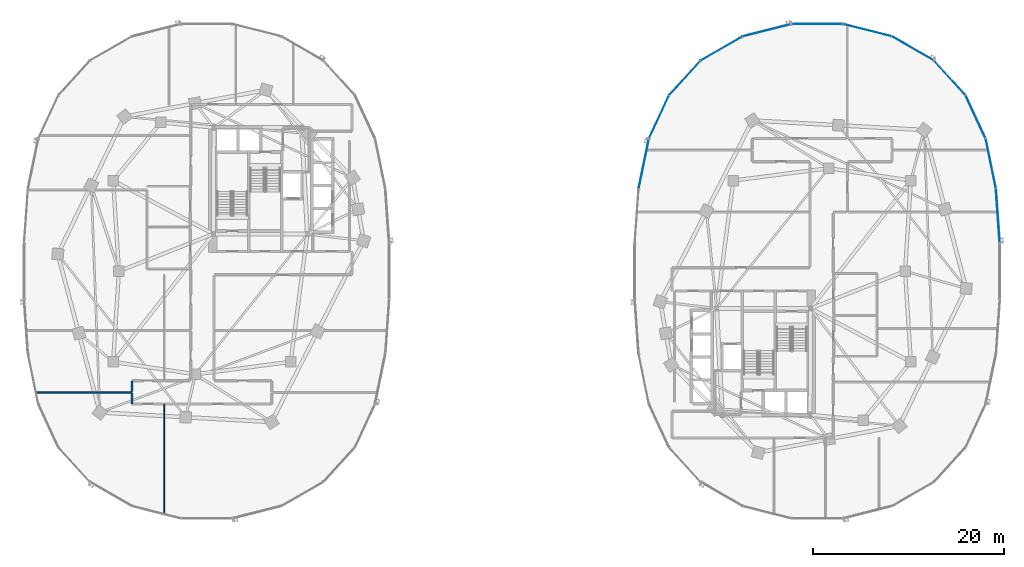
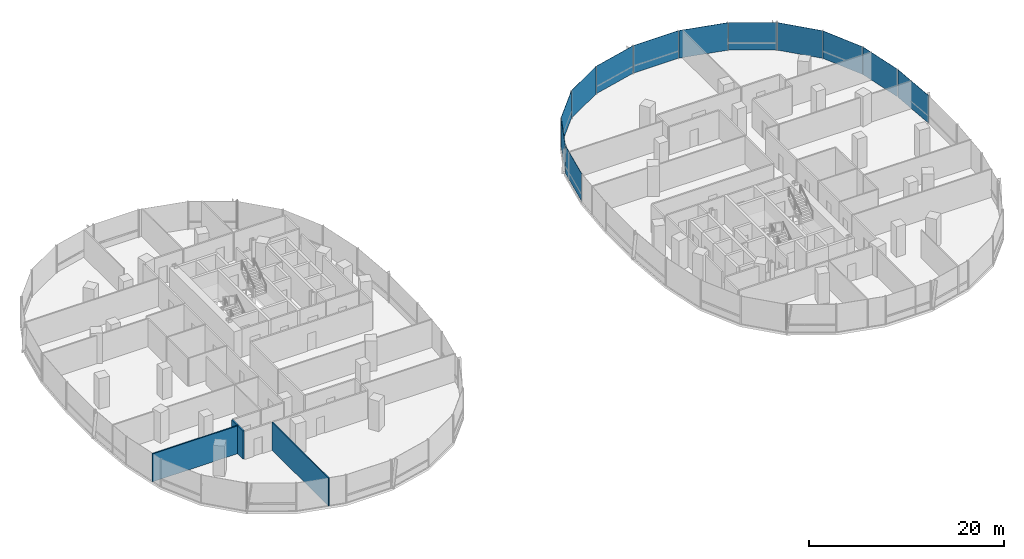
# One storey, part 10 of 22: 12 plates, 4 walls, 2 elements without a shape of their own.
"""IFC4 building model written with IfcOpenShell, lengths in metres."""

from ifc_helpers import new_model, si_unit, direction, frame, frame_2d, origin, origin_2d, place, context, subcontext, project, spatial, rectangle, extrude, material, layer, layer_set, type_object, element, aggregate, save


model = new_model("IFC4")

# Units and contexts
model_context = context("Model", 3, precision=1e-05, world=origin(), true_north=direction((0.0, 1.0)))
body_context = subcontext(model_context, "Body", "Model", "MODEL_VIEW")
ifc_project = project(units=[si_unit("LENGTHUNIT", "METRE"), si_unit("AREAUNIT", "SQUARE_METRE"), si_unit("VOLUMEUNIT", "CUBIC_METRE"), si_unit("PLANEANGLEUNIT", "RADIAN"), si_unit("MASSUNIT", "GRAM", prefix="KILO"), si_unit("THERMODYNAMICTEMPERATUREUNIT", "KELVIN"), si_unit("POWERUNIT", "WATT")], contexts=[model_context])

# Site, building, storey
site_placement = place(None, origin())
site = spatial("IfcSite", under=ifc_project, at=site_placement, CompositionType="ELEMENT")
building_placement = place(site_placement, origin())
building = spatial("IfcBuilding", under=site, at=building_placement, Name="Cundina Bronze Exchange", CompositionType="ELEMENT")
storey_placement = place(building_placement, frame((0.0, 0.0, 39.199951171875)))
storey = spatial("IfcBuildingStorey", under=building, at=storey_placement, Name="L09", CompositionType="ELEMENT", Elevation=39.199951171875)

# Curtain wall, plates
ifc_material_1 = material(Name="Anodised Bronze Aluminium 6063-T6", Category="aluminium")
curtain_wall_type = type_object("IfcCurtainWallType", Name="CWS-TRD-LOW", PredefinedType="NOTDEFINED", material=ifc_material_1)
curtain_wall_1_placement = place(storey_placement, origin())
curtain_wall_1 = element("IfcCurtainWall", 1, at=curtain_wall_1_placement, inside=storey, type_object=curtain_wall_type, Name="L09 CW-02 Curtain Wall Run CWR-L09-E1", PredefinedType="NOTDEFINED")
ifc_material_2 = material(Name="Heat-Strengthened Solar-Control Bronze Safety Glass 28mm", Category="glass")
ifc_layer_1 = layer(ifc_material_2, 0.028076171875, Name="Heat-Strengthened Solar-Control Bronze Safety Glass 28mm", Category="glass")
ifc_layer_set_1 = layer_set([ifc_layer_1], Name="Heat-Strengthened Solar-Control Bronze Safety Glass 28mm")
plate_type_1 = type_object("IfcPlateType", Name="PLT-GLZ-VIS28", PredefinedType="CURTAIN_PANEL", material=ifc_layer_set_1)
plate_1_placement = place(storey_placement, frame((50.18408203125, 11.269775390625, 0.02001953125), z_axis=(0.0, 0.0, 1.0), x_axis=(-0.201419845156, 0.979505000486, 0.0)))
plate_1 = element("IfcPlate", 2, at=plate_1_placement, type_object=plate_type_1, Name="CW-02 Glazed Panel 2", PredefinedType="CURTAIN_PANEL", context=body_context, shape_type="SweptSolid", body=[
    extrude(rectangle(XDim=5.306640625, YDim=0.028076171875, at=origin_2d()), origin(), (0.0, 0.0, 1.0), 3.4599609375),
])
plate_2_placement = place(storey_placement, frame((48.586181640625, 16.177734375, 0.02001953125), z_axis=(0.0, 0.0, 1.0), x_axis=(-0.42084583328, 0.907132175932, 0.0)))
plate_2 = element("IfcPlate", 3, at=plate_2_placement, type_object=plate_type_1, Name="CW-02 Glazed Panel 3", PredefinedType="CURTAIN_PANEL", context=body_context, shape_type="SweptSolid", body=[
    extrude(rectangle(XDim=4.966552734375, YDim=0.028076171875, at=origin_2d()), origin(), (0.0, 0.0, 1.0), 3.4599609375),
])
plate_3_placement = place(storey_placement, frame((45.8740234375, 20.267333984375, 0.02001953125), z_axis=(0.0, 0.0, 1.0), x_axis=(-0.674276610219, 0.73847887777, 0.0)))
plate_3 = element("IfcPlate", 4, at=plate_3_placement, type_object=plate_type_1, Name="CW-02 Glazed Panel 4", PredefinedType="CURTAIN_PANEL", context=body_context, shape_type="SweptSolid", body=[
    extrude(rectangle(XDim=4.86328125, YDim=0.028076171875, at=origin_2d()), origin(), (0.0, 0.0, 1.0), 3.4599609375),
])
plate_4_placement = place(storey_placement, frame((42.019287109375, 23.34423828125, 0.02001953125), z_axis=(0.0, 0.0, 1.0), x_axis=(-0.867105478933, 0.498124571171, 0.0)))
plate_4 = element("IfcPlate", 5, at=plate_4_placement, type_object=plate_type_1, Name="CW-02 Glazed Panel 5", PredefinedType="CURTAIN_PANEL", context=body_context, shape_type="SweptSolid", body=[
    extrude(rectangle(XDim=5.021240234375, YDim=0.028076171875, at=origin_2d()), origin(), (0.0, 0.0, 1.0), 3.4599609375),
])
plate_5_placement = place(storey_placement, frame((32.0, 25.905029296875, 0.02001953125), z_axis=(0.0, 0.0, 1.0), x_axis=(-1.0, 0.0, 0.0)))
plate_5 = element("IfcPlate", 6, at=plate_5_placement, type_object=plate_type_1, Name="CW-02 Glazed Panel 7", PredefinedType="CURTAIN_PANEL", context=body_context, shape_type="SweptSolid", body=[
    extrude(rectangle(XDim=5.323974609375, YDim=0.028076171875, at=origin_2d()), origin(), (0.0, 0.0, 1.0), 3.4599609375),
])

curtain_wall_2_placement = place(storey_placement, origin())
curtain_wall_2 = element("IfcCurtainWall", 7, at=curtain_wall_2_placement, inside=storey, type_object=curtain_wall_type, Name="L09 CW-02 Curtain Wall Run CWR-L09-E2", PredefinedType="NOTDEFINED")
plate_6_placement = place(storey_placement, frame((26.744384765625, 25.256591796875, 0.02001953125), z_axis=(0.0, 0.0, 1.0), x_axis=(-0.969488149345, -0.245138182011, 0.0)))
plate_6 = element("IfcPlate", 8, at=plate_6_placement, type_object=plate_type_1, Name="CW-02 Glazed Panel 1", PredefinedType="CURTAIN_PANEL", context=body_context, shape_type="SweptSolid", body=[
    extrude(rectangle(XDim=5.2333984375, YDim=0.028076171875, at=origin_2d()), origin(), (0.0, 0.0, 1.0), 3.4599609375),
])
plate_7_placement = place(storey_placement, frame((21.980712890625, 23.34423828125, 0.02001953125), z_axis=(0.0, 0.0, 1.0), x_axis=(-0.867105478933, -0.498124571171, 0.0)))
plate_7 = element("IfcPlate", 9, at=plate_7_placement, type_object=plate_type_1, Name="CW-02 Glazed Panel 2", PredefinedType="CURTAIN_PANEL", context=body_context, shape_type="SweptSolid", body=[
    extrude(rectangle(XDim=5.021240234375, YDim=0.028076171875, at=origin_2d()), origin(), (0.0, 0.0, 1.0), 3.4599609375),
])
plate_8_placement = place(storey_placement, frame((18.1259765625, 20.267333984375, 0.02001953125), z_axis=(0.0, 0.0, 1.0), x_axis=(-0.674276610219, -0.73847887777, 0.0)))
plate_8 = element("IfcPlate", 10, at=plate_8_placement, type_object=plate_type_1, Name="CW-02 Glazed Panel 3", PredefinedType="CURTAIN_PANEL", context=body_context, shape_type="SweptSolid", body=[
    extrude(rectangle(XDim=4.86328125, YDim=0.028076171875, at=origin_2d()), origin(), (0.0, 0.0, 1.0), 3.4599609375),
])
plate_9_placement = place(storey_placement, frame((15.413818359375, 16.177734375, 0.02001953125), z_axis=(0.0, 0.0, 1.0), x_axis=(-0.42084583328, -0.907132175932, 0.0)))
plate_9 = element("IfcPlate", 11, at=plate_9_placement, type_object=plate_type_1, Name="CW-02 Glazed Panel 4", PredefinedType="CURTAIN_PANEL", context=body_context, shape_type="SweptSolid", body=[
    extrude(rectangle(XDim=4.966552734375, YDim=0.028076171875, at=origin_2d()), origin(), (0.0, 0.0, 1.0), 3.4599609375),
])

# Plate
ifc_material_3 = material(Name="Dark Bronze Spandrel Glass Panel 32mm", Category="glass")
ifc_layer_2 = layer(ifc_material_3, 0.031982421875, Name="Dark Bronze Spandrel Glass Panel 32mm", Category="glass")
ifc_layer_set_2 = layer_set([ifc_layer_2], Name="Dark Bronze Spandrel Glass Panel 32mm")
plate_type_2 = type_object("IfcPlateType", Name="PLT-SPN-BRZ32", PredefinedType="CURTAIN_PANEL", material=ifc_layer_set_2)
plate_10_placement = place(storey_placement, frame((50.9267578125, 5.783935546875, 0.02001953125), z_axis=(0.0, 0.0, 1.0), x_axis=(-0.070278787473, 0.997527389113, 0.0)))
plate_10 = element("IfcPlate", 12, at=plate_10_placement, type_object=plate_type_2, Name="CW-02 Glazed Panel 1", PredefinedType="CURTAIN_PANEL", context=body_context, shape_type="SweptSolid", body=[
    extrude(rectangle(XDim=5.644287109375, YDim=0.031982421875, at=origin_2d()), origin(), (0.0, 0.0, 1.0), 3.4599609375),
])

plate_11_placement = place(storey_placement, frame((37.255615234375, 25.256591796875, 0.02001953125), z_axis=(0.0, 0.0, 1.0), x_axis=(-0.969488149345, 0.245138182011, 0.0)))
plate_11 = element("IfcPlate", 13, at=plate_11_placement, type_object=plate_type_2, Name="CW-02 Glazed Panel 6", PredefinedType="CURTAIN_PANEL", context=body_context, shape_type="SweptSolid", body=[
    extrude(rectangle(XDim=5.2333984375, YDim=0.031982421875, at=origin_2d()), origin(), (0.0, 0.0, 1.0), 3.4599609375),
])

aggregate(curtain_wall_1, [plate_10, plate_1, plate_2, plate_3, plate_4, plate_11, plate_5])

plate_12_placement = place(storey_placement, frame((13.81591796875, 11.269775390625, 0.02001953125), z_axis=(0.0, 0.0, 1.0), x_axis=(-0.201419845156, -0.979505000486, 0.0)))
plate_12 = element("IfcPlate", 14, at=plate_12_placement, type_object=plate_type_2, Name="CW-02 Glazed Panel 5", PredefinedType="CURTAIN_PANEL", context=body_context, shape_type="SweptSolid", body=[
    extrude(rectangle(XDim=5.306640625, YDim=0.031982421875, at=origin_2d()), origin(), (0.0, 0.0, 1.0), 3.4599609375),
])

aggregate(curtain_wall_2, [plate_6, plate_7, plate_8, plate_9, plate_12])

# Walls
ifc_material_4 = material(Name="Gypsum Fireboard Partition EI120")
ifc_layer_3 = layer(ifc_material_4, 0.179931640625, Name="Gypsum Fireboard Partition EI120")
ifc_layer_set_3 = layer_set([ifc_layer_3], Name="Gypsum Fireboard Partition EI120")
wall_type_1 = type_object("IfcWallType", Name="WL-COR-180", PredefinedType="PARTITIONING", material=ifc_layer_set_3)
wall_1_placement = place(storey_placement, frame((-39.820068359375, -12.780029296875, 0.0), z_axis=(0.0, 0.0, 1.0), x_axis=(0.0, -1.0, 0.0)))
element("IfcWall", 15, at=wall_1_placement, inside=storey, type_object=wall_type_1, Name="L09 Interior Partition 031", PredefinedType="PARTITIONING", context=body_context, shape_type="SweptSolid", body=[
    extrude(rectangle(XDim=1.098388671875, YDim=0.179931640625, at=frame_2d((0.54931640625, 0.0))), origin(), (0.0, 0.0, 1.0), 3.5),
])
wall_2_placement = place(storey_placement, frame((-39.820068359375, -11.521484375, 0.0), z_axis=(0.0, 0.0, 1.0), x_axis=(0.0, -1.0, 0.0)))
element("IfcWall", 16, at=wall_2_placement, inside=storey, type_object=wall_type_1, Name="L09 Interior Partition 033", PredefinedType="PARTITIONING", context=body_context, shape_type="SweptSolid", body=[
    extrude(rectangle(XDim=1.07861328125, YDim=0.179931640625, at=frame_2d((0.539306640625, 0.0))), origin(), (0.0, 0.0, 1.0), 3.5),
])
ifc_material_5 = material(Name="Gypsum Acoustic Partition EI60")
ifc_layer_4 = layer(ifc_material_5, 0.125, Name="Gypsum Acoustic Partition EI60")
ifc_layer_set_4 = layer_set([ifc_layer_4], Name="Gypsum Acoustic Partition EI60")
wall_type_2 = type_object("IfcWallType", Name="WL-OFF-125", PredefinedType="PARTITIONING", material=ifc_layer_set_4)
wall_3_placement = place(storey_placement, frame((-36.4599609375, -25.540771484375, 0.0), z_axis=(0.0, 0.0, 1.0), x_axis=(0.0, 1.0, 0.0)))
element("IfcWall", 17, at=wall_3_placement, inside=storey, type_object=wall_type_2, Name="L09 Interior Partition 015", PredefinedType="PARTITIONING", context=body_context, shape_type="SweptSolid", body=[
    extrude(rectangle(XDim=11.5908203125, YDim=0.125, at=frame_2d((5.79541015625, 0.0))), origin(), (0.0, 0.0, 1.0), 3.5),
])
ifc_layer_5 = layer(ifc_material_5, 0.14990234375, Name="Gypsum Acoustic Partition EI60")
ifc_layer_set_5 = layer_set([ifc_layer_5], Name="Gypsum Acoustic Partition EI60")
wall_type_3 = type_object("IfcWallType", Name="WL-TEN-150", PredefinedType="PARTITIONING", material=ifc_layer_set_5)
wall_4_placement = place(storey_placement, frame((-49.97412109375, -12.68994140625, 0.0), z_axis=(0.0, 0.0, 1.0), x_axis=(1.0, 0.0, 0.0)))
element("IfcWall", 18, at=wall_4_placement, inside=storey, type_object=wall_type_3, Name="L09 Interior Partition 021", PredefinedType="PARTITIONING", context=body_context, shape_type="SweptSolid", body=[
    extrude(rectangle(XDim=10.1240234375, YDim=0.14990234375, at=frame_2d((5.06201171875, 0.0))), origin(), (0.0, 0.0, 1.0), 3.5),
])

save(model, "model.ifc")
